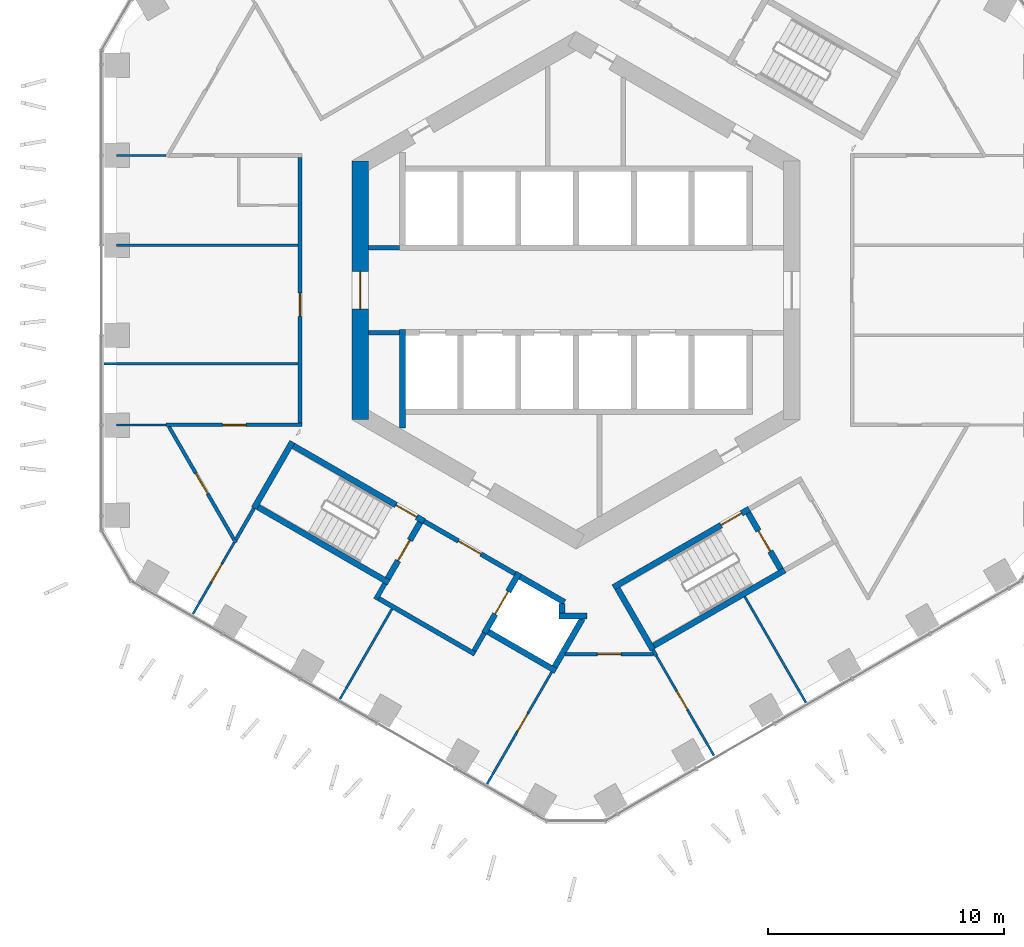
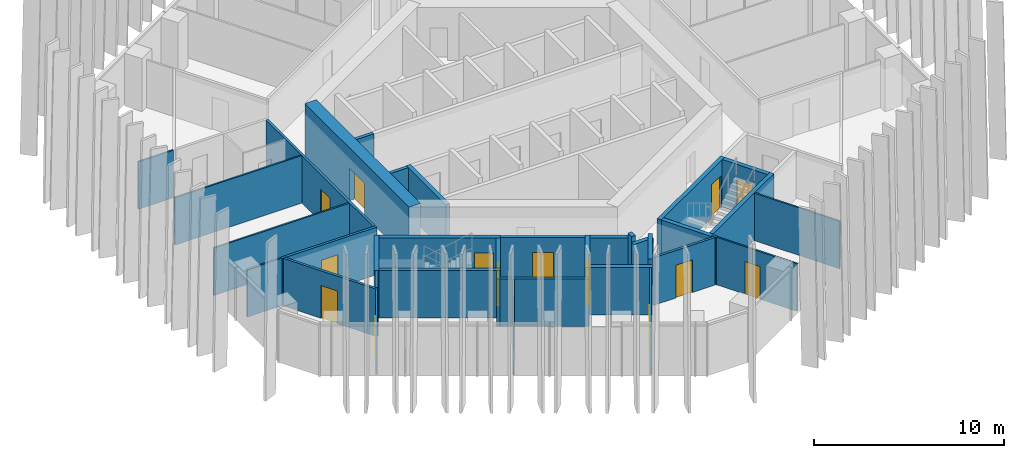
# One storey, part 12 of 18: 37 walls, 14 doors, 14 openings.
"""IFC4 building model written with IfcOpenShell, lengths in metres."""

from ifc_helpers import new_model, si_unit, direction, frame, frame_2d, origin, place, context, subcontext, project, spatial, rectangle, extrude, material, layer, layer_set, type_object, element, fill, save


model = new_model("IFC4")

# Units and contexts
model_context = context("Model", 3, precision=1e-05, world=origin(), true_north=direction((0.0, 1.0)))
body_context = subcontext(model_context, "Body", "Model", "MODEL_VIEW")
ifc_project = project(units=[si_unit("LENGTHUNIT", "METRE"), si_unit("AREAUNIT", "SQUARE_METRE"), si_unit("VOLUMEUNIT", "CUBIC_METRE"), si_unit("PLANEANGLEUNIT", "RADIAN"), si_unit("MASSUNIT", "GRAM", prefix="KILO")], contexts=[model_context])

# Site, building, storey
site_placement = place(None, origin())
site = spatial("IfcSite", under=ifc_project, at=site_placement, CompositionType="ELEMENT")
building_placement = place(site_placement, origin())
building = spatial("IfcBuilding", under=site, at=building_placement, Name="Ayvan Gate Tower", CompositionType="ELEMENT")
storey_placement = place(building_placement, frame((0.0, 0.0, 83.10009765625)))
storey = spatial("IfcBuildingStorey", under=building, at=storey_placement, Name="L21", CompositionType="ELEMENT", Elevation=83.10009765625)

# Wall, opening, door
ifc_material_1 = material(Name="Concrete C70/85", Category="concrete")
ifc_layer_1 = layer(ifc_material_1, 0.699951171875)
ifc_layer_set_1 = layer_set([ifc_layer_1], Name="Concrete C70/85")
wall_type_1 = type_object("IfcWallType", Name="Core wall 700 C70/85", PredefinedType="SHEAR", material=ifc_layer_set_1)
wall_1_placement = place(storey_placement, frame((-9.14990234375, 5.48486328125, 0.0), z_axis=(0.0, 0.0, 1.0), x_axis=(0.0, -1.0, 0.0)))
wall_1 = element("IfcWall", 1, at=wall_1_placement, inside=storey, type_object=wall_type_1, Name="CORE-L21-3", PredefinedType="SHEAR", context=body_context, shape_type="SweptSolid", body=[
    extrude(rectangle(XDim=10.9697265625, YDim=0.699951171875, at=frame_2d((5.48486328125, 0.0))), origin(), (0.0, 0.0, 1.0), 3.39990234375),
])
opening_1_placement = place(wall_1_placement, frame((4.684814453125, 0.0, 0.0)))
opening_1 = element("IfcOpeningElement", 2, at=opening_1_placement, cuts=wall_1, Name="Opening L21-D43", PredefinedType="OPENING", context=body_context, shape_type="SweptSolid", body=[
    extrude(rectangle(XDim=1.60009765625, YDim=2.10009765625, at=frame_2d((0.800048828125, 1.050048828125))), frame((0.0, 0.35986328125, 0.0), z_axis=(0.0, -1.0, 0.0), x_axis=(1.0, 0.0, 0.0)), (0.0, 0.0, 1.0), 0.719970703125),
])
ifc_material_2 = material(Name="Timber door leaf", Category="wood")
door_type_1 = type_object("IfcDoorType", Name="DT-1600", OperationType="NOTDEFINED", PredefinedType="DOOR", material=ifc_material_2)
door_1_placement = place(opening_1_placement, origin())
door_1 = element("IfcDoor", 3, at=door_1_placement, inside=storey, type_object=door_type_1, Name="CD-L21-43", OperationType="SINGLE_SWING_RIGHT", OverallHeight=2.10009765625, OverallWidth=1.60009765625, PredefinedType="DOOR", context=body_context, shape_type="SweptSolid", body=[
    extrude(rectangle(XDim=1.60009765625, YDim=2.10009765625, at=frame_2d((0.800048828125, 1.050048828125))), frame((0.0, 0.02490234375, 0.0), z_axis=(0.0, -1.0, 0.0), x_axis=(1.0, 0.0, 0.0)), (0.0, 0.0, 1.0), 0.050048828125),
])
fill(opening_1, door_1)

ifc_material_3 = material(Name="Plasterboard on steel stud", Category="steel")
ifc_layer_2 = layer(ifc_material_3, 0.14990234375)
ifc_layer_set_2 = layer_set([ifc_layer_2], Name="Plasterboard on steel stud")
wall_type_2 = type_object("IfcWallType", Name="WT-CORR-150", PredefinedType="PARTITIONING", material=ifc_layer_set_2)
wall_2_placement = place(storey_placement, frame((-17.373046875, -5.710693359375, 0.0), z_axis=(0.0, 0.0, 1.0), x_axis=(1.0, 0.0, 0.0)))
wall_2 = element("IfcWall", 4, at=wall_2_placement, inside=storey, type_object=wall_type_2, Name="IW-L21-001", PredefinedType="PARTITIONING", context=body_context, shape_type="SweptSolid", body=[
    extrude(rectangle(XDim=5.748046875, YDim=0.14990234375, at=frame_2d((2.8740234375, 0.0))), origin(), (0.0, 0.0, 1.0), 3.0498046875),
])
opening_2_placement = place(wall_2_placement, frame((2.391357421875, 0.0, 0.0)))
opening_2 = element("IfcOpeningElement", 5, at=opening_2_placement, cuts=wall_2, Name="Opening L21-D27", PredefinedType="OPENING", context=body_context, shape_type="SweptSolid", body=[
    extrude(rectangle(XDim=1.0, YDim=2.10009765625, at=frame_2d((0.5, 1.050048828125))), frame((0.0, 0.0849609375, 0.0), z_axis=(0.0, -1.0, 0.0), x_axis=(1.0, 0.0, 0.0)), (0.0, 0.0, 1.0), 0.169921875),
])
door_type_2 = type_object("IfcDoorType", Name="DT-1000", OperationType="NOTDEFINED", PredefinedType="DOOR", material=ifc_material_2)
door_2_placement = place(opening_2_placement, origin())
door_2 = element("IfcDoor", 6, at=door_2_placement, inside=storey, type_object=door_type_2, Name="ID-L21-027", OperationType="SINGLE_SWING_RIGHT", OverallHeight=2.10009765625, OverallWidth=1.0, PredefinedType="DOOR", context=body_context, shape_type="SweptSolid", body=[
    extrude(rectangle(XDim=1.0, YDim=2.10009765625, at=frame_2d((0.5, 1.050048828125))), frame((0.0, 0.02490234375, 0.0), z_axis=(0.0, -1.0, 0.0), x_axis=(1.0, 0.0, 0.0)), (0.0, 0.0, 1.0), 0.050048828125),
])
fill(opening_2, door_2)

wall_3_placement = place(storey_placement, frame((-14.4169921875, -10.700927734375, 0.0), z_axis=(0.0, 0.0, 1.0), x_axis=(-0.499985050258, 0.86603403485, 0.0)))
wall_3 = element("IfcWall", 7, at=wall_3_placement, inside=storey, type_object=wall_type_2, Name="IW-L21-005", PredefinedType="PARTITIONING", context=body_context, shape_type="SweptSolid", body=[
    extrude(rectangle(XDim=5.687255859375, YDim=0.14990234375, at=frame_2d((2.84375, 0.0))), origin(), (0.0, 0.0, 1.0), 3.0498046875),
])
opening_3_placement = place(wall_3_placement, frame((2.398193359375, 0.0, 0.0)))
opening_3 = element("IfcOpeningElement", 8, at=opening_3_placement, cuts=wall_3, Name="Opening L21-D28", PredefinedType="OPENING", context=body_context, shape_type="SweptSolid", body=[
    extrude(rectangle(XDim=1.0, YDim=2.10009765625, at=frame_2d((0.5, 1.050048828125))), frame((0.0, 0.0849609375, 0.0), z_axis=(0.0, -1.0, 0.0), x_axis=(1.0, 0.0, 0.0)), (0.0, 0.0, 1.0), 0.169921875),
])
door_3_placement = place(opening_3_placement, origin())
door_3 = element("IfcDoor", 9, at=door_3_placement, inside=storey, type_object=door_type_2, Name="ID-L21-028", OperationType="SINGLE_SWING_LEFT", OverallHeight=2.10009765625, OverallWidth=1.0, PredefinedType="DOOR", context=body_context, shape_type="SweptSolid", body=[
    extrude(rectangle(XDim=1.0, YDim=2.10009765625, at=frame_2d((0.5, 1.050048828125))), frame((0.0, 0.02490234375, 0.0), z_axis=(0.0, -1.0, 0.0), x_axis=(1.0, 0.0, 0.0)), (0.0, 0.0, 1.0), 0.050048828125),
])
fill(opening_3, door_3)

# Wall
wall_4_placement = place(storey_placement, frame((-13.647705078125, -9.23876953125, 0.0), z_axis=(0.0, 0.0, 1.0), x_axis=(-0.500116286968, -0.865958255061, 0.0)))
element("IfcWall", 10, at=wall_4_placement, inside=storey, type_object=wall_type_2, Name="IW-L21-012", PredefinedType="PARTITIONING", context=body_context, shape_type="SweptSolid", body=[
    extrude(rectangle(XDim=1.538330078125, YDim=0.14990234375, at=frame_2d((0.76904296875, 0.0))), origin(), (0.0, 0.0, 1.0), 3.0498046875),
])

# Wall, opening, door
wall_5_placement = place(storey_placement, frame((-11.699951171875, 5.6357421875, 0.0), z_axis=(0.0, 0.0, 1.0), x_axis=(0.0, -1.0, 0.0)))
wall_5 = element("IfcWall", 11, at=wall_5_placement, inside=storey, type_object=wall_type_2, Name="IW-L21-015", PredefinedType="PARTITIONING", context=body_context, shape_type="SweptSolid", body=[
    extrude(rectangle(XDim=11.271484375, YDim=0.14990234375, at=frame_2d((5.6357421875, 0.0))), origin(), (0.0, 0.0, 1.0), 3.0498046875),
])
opening_4_placement = place(wall_5_placement, frame((5.744873046875, 0.0, 0.0)))
opening_4 = element("IfcOpeningElement", 12, at=opening_4_placement, cuts=wall_5, Name="Opening L21-D26", PredefinedType="OPENING", context=body_context, shape_type="SweptSolid", body=[
    extrude(rectangle(XDim=1.0, YDim=2.10009765625, at=frame_2d((0.5, 1.050048828125))), frame((0.0, 0.0849609375, 0.0), z_axis=(0.0, -1.0, 0.0), x_axis=(1.0, 0.0, 0.0)), (0.0, 0.0, 1.0), 0.169921875),
])
door_4_placement = place(opening_4_placement, origin())
door_4 = element("IfcDoor", 13, at=door_4_placement, inside=storey, type_object=door_type_2, Name="ID-L21-026", OperationType="SINGLE_SWING_LEFT", OverallHeight=2.10009765625, OverallWidth=1.0, PredefinedType="DOOR", context=body_context, shape_type="SweptSolid", body=[
    extrude(rectangle(XDim=1.0, YDim=2.10009765625, at=frame_2d((0.5, 1.050048828125))), frame((0.0, 0.02490234375, 0.0), z_axis=(0.0, -1.0, 0.0), x_axis=(1.0, 0.0, 0.0)), (0.0, 0.0, 1.0), 0.050048828125),
])
fill(opening_4, door_4)

# Wall
wall_6_placement = place(storey_placement, frame((3.255615234375, -15.23876953125, 0.0), z_axis=(0.0, 0.0, 1.0), x_axis=(0.49995513091, -0.866051307416, 0.0)))
element("IfcWall", 14, at=wall_6_placement, inside=storey, type_object=wall_type_2, Name="IW-L21-068", PredefinedType="PARTITIONING", context=body_context, shape_type="SweptSolid", body=[
    extrude(rectangle(XDim=0.302734375, YDim=0.14990234375, at=frame_2d((0.1513671875, 0.0))), origin(), (0.0, 0.0, 1.0), 3.0498046875),
])

# Wall, opening, door
wall_7_placement = place(storey_placement, frame((3.29443359375, -15.435791015625, 0.0), z_axis=(0.0, 0.0, 1.0), x_axis=(-1.0, 0.0, 0.0)))
wall_7 = element("IfcWall", 15, at=wall_7_placement, inside=storey, type_object=wall_type_2, Name="IW-L21-070", PredefinedType="PARTITIONING", context=body_context, shape_type="SweptSolid", body=[
    extrude(rectangle(XDim=3.767578125, YDim=0.14990234375, at=frame_2d((1.8837890625, 0.0))), origin(), (0.0, 0.0, 1.0), 3.0498046875),
])
opening_5_placement = place(wall_7_placement, frame((1.3837890625, 0.0, 0.0)))
opening_5 = element("IfcOpeningElement", 16, at=opening_5_placement, cuts=wall_7, Name="Opening L21-D30", PredefinedType="OPENING", context=body_context, shape_type="SweptSolid", body=[
    extrude(rectangle(XDim=1.0, YDim=2.10009765625, at=frame_2d((0.5, 1.050048828125))), frame((0.0, 0.0849609375, 0.0), z_axis=(0.0, -1.0, 0.0), x_axis=(1.0, 0.0, 0.0)), (0.0, 0.0, 1.0), 0.169921875),
])
door_5_placement = place(opening_5_placement, origin())
door_5 = element("IfcDoor", 17, at=door_5_placement, inside=storey, type_object=door_type_2, Name="ID-L21-030", OperationType="SINGLE_SWING_LEFT", OverallHeight=2.10009765625, OverallWidth=1.0, PredefinedType="DOOR", context=body_context, shape_type="SweptSolid", body=[
    extrude(rectangle(XDim=1.0, YDim=2.10009765625, at=frame_2d((0.5, 1.050048828125))), frame((0.0, 0.02490234375, 0.0), z_axis=(0.0, -1.0, 0.0), x_axis=(1.0, 0.0, 0.0)), (0.0, 0.0, 1.0), 0.050048828125),
])
fill(opening_5, door_5)

# Walls
ifc_layer_3 = layer(ifc_material_3, 0.10009765625)
ifc_layer_set_3 = layer_set([ifc_layer_3], Name="Plasterboard on steel stud")
wall_type_3 = type_object("IfcWallType", Name="WT-PART-100", PredefinedType="PARTITIONING", material=ifc_layer_set_3)
for number, where, z_axis, x_axis, name in (
    (18, (-17.373046875, -5.710693359375, 0.0), (0.0, 0.0, 1.0), (-1.0, 0.0, 0.0), "IW-L21-000"),
    (19, (-17.373046875, 5.710693359375, 0.0), (0.0, 0.0, 1.0), (-1.0, 0.0, 0.0), "IW-L21-002"),
):
    element("IfcWall", number, at=place(storey_placement, frame(where, z_axis=z_axis, x_axis=x_axis)), inside=storey, type_object=wall_type_3, Name=name, PredefinedType="PARTITIONING", context=body_context, shape_type="SweptSolid", body=[
        extrude(rectangle(XDim=2.112548828125, YDim=0.10009765625, at=frame_2d((1.05615234375, 0.0))), origin(), (0.0, 0.0, 1.0), 3.0498046875),
    ])

# Wall, opening, door
wall_8_placement = place(storey_placement, frame((-14.491943359375, -10.700927734375, 0.0), z_axis=(0.0, 0.0, 1.0), x_axis=(-0.500024920542, -0.866011015424, 0.0)))
wall_8 = element("IfcWall", 20, at=wall_8_placement, inside=storey, type_object=wall_type_3, Name="IW-L21-006", PredefinedType="PARTITIONING", context=body_context, shape_type="SweptSolid", body=[
    extrude(rectangle(XDim=3.493408203125, YDim=0.10009765625, at=frame_2d((1.74658203125, 0.0))), origin(), (0.0, 0.0, 1.0), 3.0498046875),
])
opening_6_placement = place(wall_8_placement, frame((1.0361328125, 0.0, 0.0)))
opening_6 = element("IfcOpeningElement", 21, at=opening_6_placement, cuts=wall_8, Name="Opening L21-D29", PredefinedType="OPENING", context=body_context, shape_type="SweptSolid", body=[
    extrude(rectangle(XDim=0.89990234375, YDim=2.10009765625, at=frame_2d((0.449951171875, 1.050048828125))), frame((0.0, 0.06005859375, 0.0), z_axis=(0.0, -1.0, 0.0), x_axis=(1.0, 0.0, 0.0)), (0.0, 0.0, 1.0), 0.1201171875),
])
door_type_3 = type_object("IfcDoorType", Name="DT-900", OperationType="NOTDEFINED", PredefinedType="DOOR", material=ifc_material_2)
door_6_placement = place(opening_6_placement, origin())
door_6 = element("IfcDoor", 22, at=door_6_placement, inside=storey, type_object=door_type_3, Name="ID-L21-029", OperationType="SINGLE_SWING_RIGHT", OverallHeight=2.10009765625, OverallWidth=0.89990234375, PredefinedType="DOOR", context=body_context, shape_type="SweptSolid", body=[
    extrude(rectangle(XDim=0.89990234375, YDim=2.10009765625, at=frame_2d((0.449951171875, 1.050048828125))), frame((0.0, 0.02490234375, 0.0), z_axis=(0.0, -1.0, 0.0), x_axis=(1.0, 0.0, 0.0)), (0.0, 0.0, 1.0), 0.050048828125),
])
fill(opening_6, door_6)

# Walls
wall_9_placement = place(storey_placement, frame((-11.77490234375, -3.121826171875, 0.0), z_axis=(0.0, 0.0, 1.0), x_axis=(-1.0, 0.0, 0.0)))
element("IfcWall", 23, at=wall_9_placement, inside=storey, type_object=wall_type_3, Name="IW-L21-014", PredefinedType="PARTITIONING", context=body_context, shape_type="SweptSolid", body=[
    extrude(rectangle(XDim=8.231689453125, YDim=0.10009765625, at=frame_2d((4.11572265625, 0.0))), origin(), (0.0, 0.0, 1.0), 3.0498046875),
])
wall_10_placement = place(storey_placement, frame((-11.77490234375, 1.903564453125, 0.0), z_axis=(0.0, 0.0, 1.0), x_axis=(-1.0, 0.0, 0.0)))
element("IfcWall", 24, at=wall_10_placement, inside=storey, type_object=wall_type_3, Name="IW-L21-016", PredefinedType="PARTITIONING", context=body_context, shape_type="SweptSolid", body=[
    extrude(rectangle(XDim=7.710693359375, YDim=0.10009765625, at=frame_2d((3.85546875, 0.0))), origin(), (0.0, 0.0, 1.0), 3.0498046875),
])
wall_11_placement = place(storey_placement, frame((-7.800048828125, -13.510009765625, 0.0), z_axis=(0.0, 0.0, 1.0), x_axis=(-0.5000181976, -0.86601489714, 0.0)))
element("IfcWall", 25, at=wall_11_placement, inside=storey, type_object=wall_type_3, Name="IW-L21-021", PredefinedType="PARTITIONING", context=body_context, shape_type="SweptSolid", body=[
    extrude(rectangle(XDim=4.406494140625, YDim=0.10009765625, at=frame_2d((2.203125, 0.0))), origin(), (0.0, 0.0, 1.0), 3.0498046875),
])

# Wall, opening, door
wall_12_placement = place(storey_placement, frame((-3.767822265625, -20.92626953125, 0.0), z_axis=(0.0, 0.0, 1.0), x_axis=(0.499980760091, 0.866036511666, 0.0)))
wall_12 = element("IfcWall", 26, at=wall_12_placement, inside=storey, type_object=wall_type_3, Name="IW-L21-038", PredefinedType="PARTITIONING", context=body_context, shape_type="SweptSolid", body=[
    extrude(rectangle(XDim=5.481689453125, YDim=0.10009765625, at=frame_2d((2.74072265625, 0.0))), origin(), (0.0, 0.0, 1.0), 3.0498046875),
])
opening_7_placement = place(wall_12_placement, frame((2.55126953125, 0.0, 0.0)))
opening_7 = element("IfcOpeningElement", 27, at=opening_7_placement, cuts=wall_12, Name="Opening L21-D31", PredefinedType="OPENING", context=body_context, shape_type="SweptSolid", body=[
    extrude(rectangle(XDim=0.89990234375, YDim=2.10009765625, at=frame_2d((0.449951171875, 1.050048828125))), frame((0.0, 0.06005859375, 0.0), z_axis=(0.0, -1.0, 0.0), x_axis=(1.0, 0.0, 0.0)), (0.0, 0.0, 1.0), 0.1201171875),
])
door_7_placement = place(opening_7_placement, origin())
door_7 = element("IfcDoor", 28, at=door_7_placement, inside=storey, type_object=door_type_3, Name="ID-L21-031", OperationType="SINGLE_SWING_RIGHT", OverallHeight=2.10009765625, OverallWidth=0.89990234375, PredefinedType="DOOR", context=body_context, shape_type="SweptSolid", body=[
    extrude(rectangle(XDim=0.89990234375, YDim=2.10009765625, at=frame_2d((0.449951171875, 1.050048828125))), frame((0.0, 0.02490234375, 0.0), z_axis=(0.0, -1.0, 0.0), x_axis=(1.0, 0.0, 0.0)), (0.0, 0.0, 1.0), 0.050048828125),
])
fill(opening_7, door_7)

wall_13_placement = place(storey_placement, frame((3.406982421875, -15.5009765625, 0.0), z_axis=(0.0, 0.0, 1.0), x_axis=(0.499992452474, -0.866029761307, 0.0)))
wall_13 = element("IfcWall", 29, at=wall_13_placement, inside=storey, type_object=wall_type_3, Name="IW-L21-071", PredefinedType="PARTITIONING", context=body_context, shape_type="SweptSolid", body=[
    extrude(rectangle(XDim=4.87890625, YDim=0.10009765625, at=frame_2d((2.439453125, 0.0))), origin(), (0.0, 0.0, 1.0), 3.0498046875),
])
opening_8_placement = place(wall_13_placement, frame((1.72900390625, 0.0, 0.0)))
opening_8 = element("IfcOpeningElement", 30, at=opening_8_placement, cuts=wall_13, Name="Opening L21-D32", PredefinedType="OPENING", context=body_context, shape_type="SweptSolid", body=[
    extrude(rectangle(XDim=0.89990234375, YDim=2.10009765625, at=frame_2d((0.449951171875, 1.050048828125))), frame((0.0, 0.06005859375, 0.0), z_axis=(0.0, -1.0, 0.0), x_axis=(1.0, 0.0, 0.0)), (0.0, 0.0, 1.0), 0.1201171875),
])
door_8_placement = place(opening_8_placement, origin())
door_8 = element("IfcDoor", 31, at=door_8_placement, inside=storey, type_object=door_type_3, Name="ID-L21-032", OperationType="SINGLE_SWING_LEFT", OverallHeight=2.10009765625, OverallWidth=0.89990234375, PredefinedType="DOOR", context=body_context, shape_type="SweptSolid", body=[
    extrude(rectangle(XDim=0.89990234375, YDim=2.10009765625, at=frame_2d((0.449951171875, 1.050048828125))), frame((0.0, 0.02490234375, 0.0), z_axis=(0.0, -1.0, 0.0), x_axis=(1.0, 0.0, 0.0)), (0.0, 0.0, 1.0), 0.050048828125),
])
fill(opening_8, door_8)

# Walls
wall_14_placement = place(storey_placement, frame((7.152587890625, -12.98876953125, 0.0), z_axis=(0.0, 0.0, 1.0), x_axis=(0.499990271856, -0.866031020258, 0.0)))
element("IfcWall", 32, at=wall_14_placement, inside=storey, type_object=wall_type_3, Name="IW-L21-081", PredefinedType="PARTITIONING", context=body_context, shape_type="SweptSolid", body=[
    extrude(rectangle(XDim=5.181640625, YDim=0.10009765625, at=frame_2d((2.5908203125, 0.0))), origin(), (0.0, 0.0, 1.0), 3.0498046875),
])
ifc_layer_4 = layer(ifc_material_3, 0.199951171875)
ifc_layer_set_4 = layer_set([ifc_layer_4], Name="Plasterboard on steel stud")
wall_type_4 = type_object("IfcWallType", Name="WT-RATED-200", PredefinedType="PARTITIONING", material=ifc_layer_set_4)
wall_15_placement = place(storey_placement, frame((-8.800048828125, 1.800048828125, 0.0), z_axis=(0.0, 0.0, 1.0), x_axis=(1.0, 0.0, 0.0)))
element("IfcWall", 33, at=wall_15_placement, inside=storey, type_object=wall_type_4, Name="IW-L21-018", PredefinedType="PARTITIONING", context=body_context, shape_type="SweptSolid", body=[
    extrude(rectangle(XDim=1.3251953125, YDim=0.199951171875, at=frame_2d((0.66259765625, 0.0))), origin(), (0.0, 0.0, 1.0), 3.0498046875),
])
wall_16_placement = place(storey_placement, frame((-8.492919921875, -13.110107421875, 0.0), z_axis=(0.0, 0.0, 1.0), x_axis=(0.500067724834, 0.865986299303, 0.0)))
element("IfcWall", 34, at=wall_16_placement, inside=storey, type_object=wall_type_4, Name="IW-L21-019", PredefinedType="PARTITIONING", context=body_context, shape_type="SweptSolid", body=[
    extrude(rectangle(XDim=0.775390625, YDim=0.199951171875, at=frame_2d((0.3876953125, 0.0))), origin(), (0.0, 0.0, 1.0), 3.0498046875),
])
wall_17_placement = place(storey_placement, frame((-8.356201171875, -13.073486328125, 0.0), z_axis=(0.0, 0.0, 1.0), x_axis=(0.866038532462, -0.499977259774, 0.0)))
element("IfcWall", 35, at=wall_17_placement, inside=storey, type_object=wall_type_4, Name="IW-L21-022", PredefinedType="PARTITIONING", context=body_context, shape_type="SweptSolid", body=[
    extrude(rectangle(XDim=4.699951171875, YDim=0.199951171875, at=frame_2d((2.35009765625, 0.0))), origin(), (0.0, 0.0, 1.0), 3.0498046875),
])
wall_18_placement = place(storey_placement, frame((-7.474853515625, -1.800048828125, 0.0), z_axis=(0.0, 0.0, 1.0), x_axis=(-1.0, 0.0, 0.0)))
element("IfcWall", 36, at=wall_18_placement, inside=storey, type_object=wall_type_4, Name="IW-L21-027", PredefinedType="PARTITIONING", context=body_context, shape_type="SweptSolid", body=[
    extrude(rectangle(XDim=1.3251953125, YDim=0.199951171875, at=frame_2d((0.66259765625, 0.0))), origin(), (0.0, 0.0, 1.0), 3.0498046875),
])

# Wall, opening, door
wall_19_placement = place(storey_placement, frame((-6.4345703125, -9.794921875, 0.0), z_axis=(0.0, 0.0, 1.0), x_axis=(0.866012907634, -0.500021643343, 0.0)))
wall_19 = element("IfcWall", 37, at=wall_19_placement, inside=storey, type_object=wall_type_4, Name="IW-L21-029", PredefinedType="PARTITIONING", context=body_context, shape_type="SweptSolid", body=[
    extrude(rectangle(XDim=4.449951171875, YDim=0.199951171875, at=frame_2d((2.22509765625, 0.0))), origin(), (0.0, 0.0, 1.0), 3.0498046875),
])
opening_9_placement = place(wall_19_placement, frame((1.675048828125, 0.0, 0.0)))
opening_9 = element("IfcOpeningElement", 38, at=opening_9_placement, cuts=wall_19, Name="Opening L21-D12", PredefinedType="OPENING", context=body_context, shape_type="SweptSolid", body=[
    extrude(rectangle(XDim=1.10009765625, YDim=2.10009765625, at=frame_2d((0.550048828125, 1.050048828125))), frame((0.0, 0.10986328125, 0.0), z_axis=(0.0, -1.0, 0.0), x_axis=(1.0, 0.0, 0.0)), (0.0, 0.0, 1.0), 0.219970703125),
])
door_type_4 = type_object("IfcDoorType", Name="DT-1100", OperationType="NOTDEFINED", PredefinedType="DOOR", material=ifc_material_2)
door_9_placement = place(opening_9_placement, origin())
door_9 = element("IfcDoor", 39, at=door_9_placement, inside=storey, type_object=door_type_4, Name="ID-L21-012", OperationType="SINGLE_SWING_LEFT", OverallHeight=2.10009765625, OverallWidth=1.10009765625, PredefinedType="DOOR", context=body_context, shape_type="SweptSolid", body=[
    extrude(rectangle(XDim=1.10009765625, YDim=2.10009765625, at=frame_2d((0.550048828125, 1.050048828125))), frame((0.0, 0.02490234375, 0.0), z_axis=(0.0, -1.0, 0.0), x_axis=(1.0, 0.0, 0.0)), (0.0, 0.0, 1.0), 0.050048828125),
])
fill(opening_9, door_9)

# Walls
wall_20_placement = place(storey_placement, frame((-3.885009765625, -14.52880859375, 0.0), z_axis=(0.0, 0.0, 1.0), x_axis=(-0.499859285417, -0.866106630146, 0.0)))
element("IfcWall", 40, at=wall_20_placement, inside=storey, type_object=wall_type_4, Name="IW-L21-036", PredefinedType="PARTITIONING", context=body_context, shape_type="SweptSolid", body=[
    extrude(rectangle(XDim=0.875244140625, YDim=0.199951171875, at=frame_2d((0.4375, 0.0))), origin(), (0.0, 0.0, 1.0), 3.0498046875),
])
ifc_material_4 = material(Name="Concrete C50/60", Category="concrete")
ifc_layer_5 = layer(ifc_material_4, 0.25)
ifc_layer_set_5 = layer_set([ifc_layer_5], Name="Concrete C50/60")
wall_type_5 = type_object("IfcWallType", Name="WT-RC-250", PredefinedType="SHEAR", material=ifc_layer_set_5)
wall_21_placement = place(storey_placement, frame((-13.64794921875, -9.23876953125, 0.0), z_axis=(0.0, 0.0, 1.0), x_axis=(0.500017246033, 0.866015446554, 0.0)))
element("IfcWall", 41, at=wall_21_placement, inside=storey, type_object=wall_type_5, Name="IW-L21-011", PredefinedType="SHEAR", context=body_context, shape_type="SweptSolid", body=[
    extrude(rectangle(XDim=3.25, YDim=0.25, at=frame_2d((1.625, 0.0))), origin(), (0.0, 0.0, 1.0), 3.0498046875),
])

# Wall, opening, door
wall_22_placement = place(storey_placement, frame((-11.97705078125, -6.594970703125, 0.0), z_axis=(0.0, 0.0, 1.0), x_axis=(0.866025499775, -0.499999833739, 0.0)))
wall_22 = element("IfcWall", 42, at=wall_22_placement, inside=storey, type_object=wall_type_5, Name="IW-L21-013", PredefinedType="SHEAR", context=body_context, shape_type="SweptSolid", body=[
    extrude(rectangle(XDim=6.39990234375, YDim=0.25, at=frame_2d((3.199951171875, 0.0))), origin(), (0.0, 0.0, 1.0), 3.0498046875),
])
opening_10_placement = place(wall_22_placement, frame((5.02490234375, 0.0, 0.0)))
opening_10 = element("IfcOpeningElement", 43, at=opening_10_placement, cuts=wall_22, Name="Opening L21-D10", PredefinedType="OPENING", context=body_context, shape_type="SweptSolid", body=[
    extrude(rectangle(XDim=1.0, YDim=2.10009765625, at=frame_2d((0.5, 1.050048828125))), frame((0.0, 0.135009765625, 0.0), z_axis=(0.0, -1.0, 0.0), x_axis=(1.0, 0.0, 0.0)), (0.0, 0.0, 1.0), 0.27001953125),
])
door_10_placement = place(opening_10_placement, origin())
door_10 = element("IfcDoor", 44, at=door_10_placement, inside=storey, type_object=door_type_2, Name="ID-L21-010", OperationType="SINGLE_SWING_LEFT", OverallHeight=2.10009765625, OverallWidth=1.0, PredefinedType="DOOR", context=body_context, shape_type="SweptSolid", body=[
    extrude(rectangle(XDim=1.0, YDim=2.10009765625, at=frame_2d((0.5, 1.050048828125))), frame((0.0, 0.02490234375, 0.0), z_axis=(0.0, -1.0, 0.0), x_axis=(1.0, 0.0, 0.0)), (0.0, 0.0, 1.0), 0.050048828125),
])
fill(opening_10, door_10)

# Walls
wall_23_placement = place(storey_placement, frame((-7.9345703125, -12.39306640625, 0.0), z_axis=(0.0, 0.0, 1.0), x_axis=(-0.866025499775, 0.499999833739, 0.0)))
element("IfcWall", 45, at=wall_23_placement, inside=storey, type_object=wall_type_5, Name="IW-L21-020", PredefinedType="SHEAR", context=body_context, shape_type="SweptSolid", body=[
    extrude(rectangle(XDim=6.39990234375, YDim=0.25, at=frame_2d((3.199951171875, 0.0))), origin(), (0.0, 0.0, 1.0), 3.0498046875),
])
wall_24_placement = place(storey_placement, frame((-7.35009765625, -5.845703125, 0.0), z_axis=(0.0, 0.0, 1.0), x_axis=(0.0, 1.0, 0.0)))
element("IfcWall", 46, at=wall_24_placement, inside=storey, type_object=wall_type_5, Name="IW-L21-024", PredefinedType="SHEAR", context=body_context, shape_type="SweptSolid", body=[
    extrude(rectangle(XDim=4.170654296875, YDim=0.25, at=frame_2d((2.08544921875, 0.0))), origin(), (0.0, 0.0, 1.0), 3.0498046875),
])

# Wall, opening, door
wall_25_placement = place(storey_placement, frame((-6.605224609375, -9.8408203125, 0.0), z_axis=(0.0, 0.0, 1.0), x_axis=(-0.499996545922, -0.866027397988, 0.0)))
wall_25 = element("IfcWall", 47, at=wall_25_placement, inside=storey, type_object=wall_type_5, Name="IW-L21-028", PredefinedType="SHEAR", context=body_context, shape_type="SweptSolid", body=[
    extrude(rectangle(XDim=2.75, YDim=0.25, at=frame_2d((1.375, 0.0))), origin(), (0.0, 0.0, 1.0), 3.0498046875),
])
opening_11_placement = place(wall_25_placement, frame((0.875, 0.0, 0.0)))
opening_11 = element("IfcOpeningElement", 48, at=opening_11_placement, cuts=wall_25, Name="Opening L21-D11", PredefinedType="OPENING", context=body_context, shape_type="SweptSolid", body=[
    extrude(rectangle(XDim=1.0, YDim=2.10009765625, at=frame_2d((0.5, 1.050048828125))), frame((0.0, 0.135009765625, 0.0), z_axis=(0.0, -1.0, 0.0), x_axis=(1.0, 0.0, 0.0)), (0.0, 0.0, 1.0), 0.27001953125),
])
door_11_placement = place(opening_11_placement, origin())
door_11 = element("IfcDoor", 49, at=door_11_placement, inside=storey, type_object=door_type_2, Name="ID-L21-011", OperationType="SINGLE_SWING_RIGHT", OverallHeight=2.10009765625, OverallWidth=1.0, PredefinedType="DOOR", context=body_context, shape_type="SweptSolid", body=[
    extrude(rectangle(XDim=1.0, YDim=2.10009765625, at=frame_2d((0.5, 1.050048828125))), frame((0.0, 0.02490234375, 0.0), z_axis=(0.0, -1.0, 0.0), x_axis=(1.0, 0.0, 0.0)), (0.0, 0.0, 1.0), 0.050048828125),
])
fill(opening_11, door_11)

wall_26_placement = place(storey_placement, frame((-2.409912109375, -11.97412109375, 0.0), z_axis=(0.0, 0.0, 1.0), x_axis=(-0.500001826776, -0.866024349092, 0.0)))
wall_26 = element("IfcWall", 50, at=wall_26_placement, inside=storey, type_object=wall_type_5, Name="IW-L21-042", PredefinedType="SHEAR", context=body_context, shape_type="SweptSolid", body=[
    extrude(rectangle(XDim=2.9501953125, YDim=0.25, at=frame_2d((1.47509765625, 0.0))), origin(), (0.0, 0.0, 1.0), 3.0498046875),
])
opening_12_placement = place(wall_26_placement, frame((0.925048828125, 0.0, 0.0)))
opening_12 = element("IfcOpeningElement", 51, at=opening_12_placement, cuts=wall_26, Name="Opening L21-LD-FF2", PredefinedType="OPENING", context=body_context, shape_type="SweptSolid", body=[
    extrude(rectangle(XDim=1.10009765625, YDim=2.10009765625, at=frame_2d((0.550048828125, 1.050048828125))), frame((0.0, 0.135009765625, 0.0), z_axis=(0.0, -1.0, 0.0), x_axis=(1.0, 0.0, 0.0)), (0.0, 0.0, 1.0), 0.27001953125),
])
ifc_material_5 = material(Name="Stainless steel landing door", Category="steel")
door_type_5 = type_object("IfcDoorType", Name="DT-LANDING-1100", OperationType="SLIDING_TO_LEFT", PredefinedType="DOOR", material=ifc_material_5)
door_12_placement = place(opening_12_placement, origin())
door_12 = element("IfcDoor", 52, at=door_12_placement, inside=storey, type_object=door_type_5, Name="ID-L21-013", OperationType="SLIDING_TO_LEFT", OverallHeight=2.10009765625, OverallWidth=1.10009765625, PredefinedType="DOOR", context=body_context, shape_type="SweptSolid", body=[
    extrude(rectangle(XDim=1.10009765625, YDim=2.10009765625, at=frame_2d((0.550048828125, 1.050048828125))), frame((0.0, 0.02490234375, 0.0), z_axis=(0.0, -1.0, 0.0), x_axis=(1.0, 0.0, 0.0)), (0.0, 0.0, 1.0), 0.050048828125),
])
fill(opening_12, door_12)

# Walls
wall_27_placement = place(storey_placement, frame((-2.3642578125, -12.14501953125, 0.0), z_axis=(0.0, 0.0, 1.0), x_axis=(0.86603892542, -0.499976579108, 0.0)))
element("IfcWall", 53, at=wall_27_placement, inside=storey, type_object=wall_type_5, Name="IW-L21-043", PredefinedType="SHEAR", context=body_context, shape_type="SweptSolid", body=[
    extrude(rectangle(XDim=2.162109375, YDim=0.25, at=frame_2d((1.0810546875, 0.0))), origin(), (0.0, 0.0, 1.0), 3.0498046875),
])
wall_28_placement = place(storey_placement, frame((-0.8564453125, -16.13330078125, 0.0), z_axis=(0.0, 0.0, 1.0), x_axis=(-0.866021716278, 0.500006386895, 0.0)))
element("IfcWall", 54, at=wall_28_placement, inside=storey, type_object=wall_type_5, Name="IW-L21-048", PredefinedType="SHEAR", context=body_context, shape_type="SweptSolid", body=[
    extrude(rectangle(XDim=3.2998046875, YDim=0.25, at=frame_2d((1.64990234375, 0.0))), origin(), (0.0, 0.0, 1.0), 3.0498046875),
])
wall_29_placement = place(storey_placement, frame((-0.72509765625, -13.81005859375, 0.0), z_axis=(0.0, 0.0, 1.0), x_axis=(1.0, 0.0, 0.0)))
element("IfcWall", 55, at=wall_29_placement, inside=storey, type_object=wall_type_5, Name="IW-L21-049", PredefinedType="SHEAR", context=body_context, shape_type="SweptSolid", body=[
    extrude(rectangle(XDim=1.190673828125, YDim=0.25, at=frame_2d((0.59521484375, 0.0))), origin(), (0.0, 0.0, 1.0), 3.0498046875),
])
wall_30_placement = place(storey_placement, frame((-0.60009765625, -13.28857421875, 0.0), z_axis=(0.0, 0.0, 1.0), x_axis=(0.0, -1.0, 0.0)))
element("IfcWall", 56, at=wall_30_placement, inside=storey, type_object=wall_type_5, Name="IW-L21-050", PredefinedType="SHEAR", context=body_context, shape_type="SweptSolid", body=[
    extrude(rectangle(XDim=0.396484375, YDim=0.25, at=frame_2d((0.1982421875, 0.0))), origin(), (0.0, 0.0, 1.0), 3.39990234375),
])
wall_31_placement = place(storey_placement, frame((-0.902099609375, -15.96240234375, 0.0), z_axis=(0.0, 0.0, 1.0), x_axis=(0.49998806882, 0.866032292145, 0.0)))
element("IfcWall", 57, at=wall_31_placement, inside=storey, type_object=wall_type_5, Name="IW-L21-051", PredefinedType="SHEAR", context=body_context, shape_type="SweptSolid", body=[
    extrude(rectangle(XDim=2.3603515625, YDim=0.25, at=frame_2d((1.18017578125, 0.0))), origin(), (0.0, 0.0, 1.0), 3.39990234375),
])

# Wall, opening, door
wall_32_placement = place(storey_placement, frame((1.584716796875, -12.594970703125, 0.0), z_axis=(0.0, 0.0, 1.0), x_axis=(0.866036417653, 0.499980922934, 0.0)))
wall_32 = element("IfcWall", 58, at=wall_32_placement, inside=storey, type_object=wall_type_5, Name="IW-L21-061", PredefinedType="SHEAR", context=body_context, shape_type="SweptSolid", body=[
    extrude(rectangle(XDim=6.650146484375, YDim=0.25, at=frame_2d((3.3251953125, 0.0))), origin(), (0.0, 0.0, 1.0), 3.0498046875),
])
opening_13_placement = place(wall_32_placement, frame((5.27490234375, 0.0, 0.0)))
opening_13 = element("IfcOpeningElement", 59, at=opening_13_placement, cuts=wall_32, Name="Opening L21-D14", PredefinedType="OPENING", context=body_context, shape_type="SweptSolid", body=[
    extrude(rectangle(XDim=1.0, YDim=2.10009765625, at=frame_2d((0.5, 1.050048828125))), frame((0.0, 0.135009765625, 0.0), z_axis=(0.0, -1.0, 0.0), x_axis=(1.0, 0.0, 0.0)), (0.0, 0.0, 1.0), 0.27001953125),
])
door_13_placement = place(opening_13_placement, origin())
door_13 = element("IfcDoor", 60, at=door_13_placement, inside=storey, type_object=door_type_2, Name="ID-L21-014", OperationType="SINGLE_SWING_LEFT", OverallHeight=2.10009765625, OverallWidth=1.0, PredefinedType="DOOR", context=body_context, shape_type="SweptSolid", body=[
    extrude(rectangle(XDim=1.0, YDim=2.10009765625, at=frame_2d((0.5, 1.050048828125))), frame((0.0, 0.02490234375, 0.0), z_axis=(0.0, -1.0, 0.0), x_axis=(1.0, 0.0, 0.0)), (0.0, 0.0, 1.0), 0.050048828125),
])
fill(opening_13, door_13)

# Walls
wall_33_placement = place(storey_placement, frame((3.255615234375, -15.23876953125, 0.0), z_axis=(0.0, 0.0, 1.0), x_axis=(-0.50002537861, 0.866010750942, 0.0)))
element("IfcWall", 61, at=wall_33_placement, inside=storey, type_object=wall_type_5, Name="IW-L21-069", PredefinedType="SHEAR", context=body_context, shape_type="SweptSolid", body=[
    extrude(rectangle(XDim=2.999755859375, YDim=0.25, at=frame_2d((1.5, 0.0))), origin(), (0.0, 0.0, 1.0), 3.0498046875),
])
wall_34_placement = place(storey_placement, frame((3.30126953125, -15.068115234375, 0.0), z_axis=(0.0, 0.0, 1.0), x_axis=(0.866035036182, 0.499983315828, 0.0)))
element("IfcWall", 62, at=wall_34_placement, inside=storey, type_object=wall_type_5, Name="IW-L21-082", PredefinedType="SHEAR", context=body_context, shape_type="SweptSolid", body=[
    extrude(rectangle(XDim=6.400146484375, YDim=0.25, at=frame_2d((3.2001953125, 0.0))), origin(), (0.0, 0.0, 1.0), 3.0498046875),
])

# Wall, opening, door
wall_35_placement = place(storey_placement, frame((7.298095703125, -9.44091796875, 0.0), z_axis=(0.0, 0.0, 1.0), x_axis=(0.500034990121, -0.866005201286, 0.0)))
wall_35 = element("IfcWall", 63, at=wall_35_placement, inside=storey, type_object=wall_type_5, Name="IW-L21-083", PredefinedType="SHEAR", context=body_context, shape_type="SweptSolid", body=[
    extrude(rectangle(XDim=2.749755859375, YDim=0.25, at=frame_2d((1.375, 0.0))), origin(), (0.0, 0.0, 1.0), 3.0498046875),
])
opening_14_placement = place(wall_35_placement, frame((0.875, 0.0, 0.0)))
opening_14 = element("IfcOpeningElement", 64, at=opening_14_placement, cuts=wall_35, Name="Opening L21-D16", PredefinedType="OPENING", context=body_context, shape_type="SweptSolid", body=[
    extrude(rectangle(XDim=1.0, YDim=2.10009765625, at=frame_2d((0.5, 1.050048828125))), frame((0.0, 0.135009765625, 0.0), z_axis=(0.0, -1.0, 0.0), x_axis=(1.0, 0.0, 0.0)), (0.0, 0.0, 1.0), 0.27001953125),
])
door_14_placement = place(opening_14_placement, origin())
door_14 = element("IfcDoor", 65, at=door_14_placement, inside=storey, type_object=door_type_2, Name="ID-L21-016", OperationType="SINGLE_SWING_LEFT", OverallHeight=2.10009765625, OverallWidth=1.0, PredefinedType="DOOR", context=body_context, shape_type="SweptSolid", body=[
    extrude(rectangle(XDim=1.0, YDim=2.10009765625, at=frame_2d((0.5, 1.050048828125))), frame((0.0, 0.02490234375, 0.0), z_axis=(0.0, -1.0, 0.0), x_axis=(1.0, 0.0, 0.0)), (0.0, 0.0, 1.0), 0.050048828125),
])
fill(opening_14, door_14)

save(model, "model.ifc")
